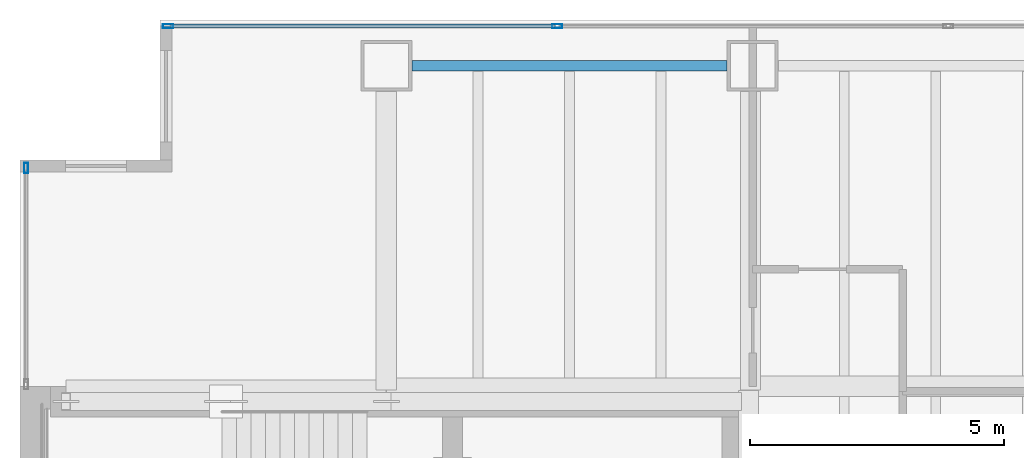
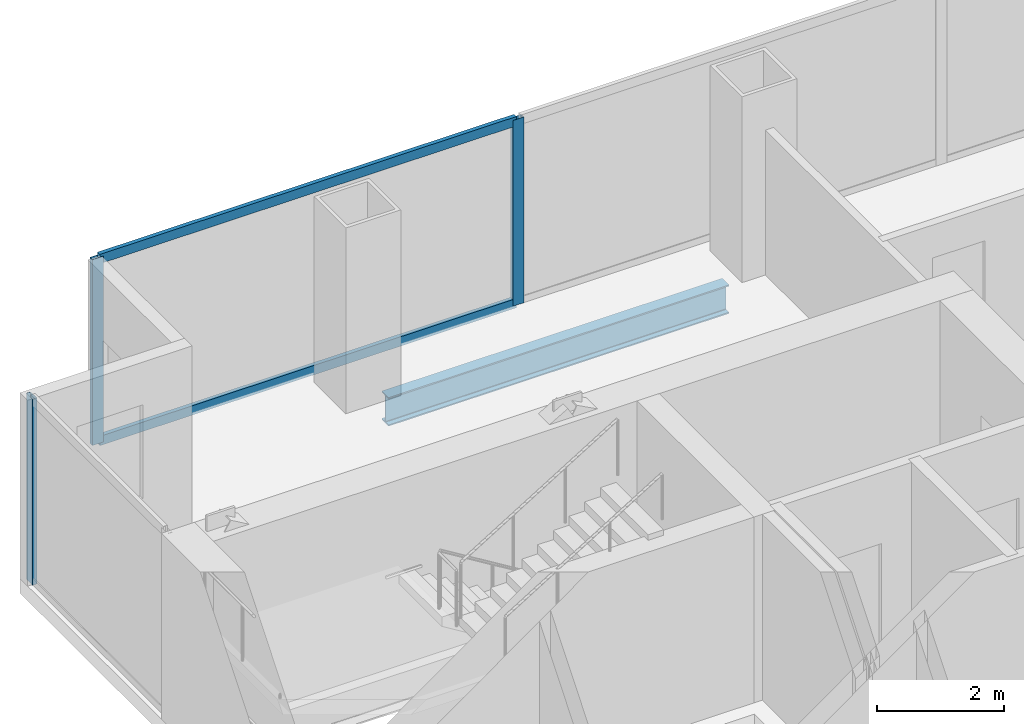
# One storey, part 16 of 23: 5 members, 1 beam, 2 elements without a shape of their own.
"""IFC4 building model written with IfcOpenShell, lengths in metres."""

from ifc_helpers import new_model, si_unit, direction, frame, origin, origin_2d, place, context, subcontext, project, spatial, hollow_rectangle, i_section, extrude, material, material_profile, profile_set, type_object, element, aggregate, save


model = new_model("IFC4")

# Units and contexts
model_context = context("Model", 3, precision=1e-05, world=origin(), true_north=direction((0.0, 1.0)))
body_context = subcontext(model_context, "Body", "Model", "MODEL_VIEW")
ifc_project = project(units=[si_unit("LENGTHUNIT", "METRE"), si_unit("AREAUNIT", "SQUARE_METRE"), si_unit("VOLUMEUNIT", "CUBIC_METRE"), si_unit("PLANEANGLEUNIT", "RADIAN"), si_unit("MASSUNIT", "GRAM", prefix="KILO")], contexts=[model_context])

# Site, building, storey
site_placement = place(None, origin())
site = spatial("IfcSite", under=ifc_project, at=site_placement, CompositionType="ELEMENT")
building_placement = place(site_placement, origin())
building = spatial("IfcBuilding", under=site, at=building_placement, Name="Cobrela Telecom Tower", CompositionType="ELEMENT")
storey_placement = place(building_placement, frame((0.0, 0.0, 73.5)))
storey = spatial("IfcBuildingStorey", under=building, at=storey_placement, Name="L18", CompositionType="ELEMENT", Elevation=73.5)

# Beam
ifc_material_1 = material(Name="Steel ASTM A992 Grade 50", Category="steel")
ifc_material_profile_1 = material_profile(ifc_material_1, i_section(OverallWidth=0.212890625, OverallDepth=0.549072265625, WebThickness=0.0146484375, FlangeThickness=0.023681640625, FilletRadius=0.013916015625, at=origin_2d()), Name="W21X93")
ifc_profile_set_1 = profile_set([ifc_material_profile_1], Name="Steel ASTM A992 Grade 50")
beam_type = type_object("IfcBeamType", Name="BM-SPAND-03", PredefinedType="SPANDREL", material=ifc_profile_set_1)
beam_placement = place(storey_placement, frame((7.705078125, 42.300048828125, -0.554443359375), z_axis=(1.0, 0.0, 0.0), x_axis=(0.0, 1.0, 0.0)))
element("IfcBeam", 1, at=beam_placement, inside=storey, type_object=beam_type, Name="L18 Perimeter Spandrel X29", PredefinedType="SPANDREL", context=body_context, shape_type="SweptSolid", body=[
    extrude(i_section(OverallWidth=0.212890625, OverallDepth=0.549072265625, WebThickness=0.0146484375, FlangeThickness=0.023681640625, FilletRadius=0.013916015625, at=origin_2d()), origin(), (0.0, 0.0, 1.0), 6.18994140625),
])

# Curtain wall, member
ifc_material_2 = material(Name="Anodized Bronze Aluminium 6063-T6", Category="aluminium")
curtain_wall_type = type_object("IfcCurtainWallType", Name="CW-SYS-DATA", PredefinedType="USERDEFINED", material=ifc_material_2)
curtain_wall_1_placement = place(storey_placement, origin())
curtain_wall_1 = element("IfcCurtainWall", 2, at=curtain_wall_1_placement, inside=storey, type_object=curtain_wall_type, Name="L18 Unitised Bronze Curtain Wall 04", ObjectType="UNITISED CURTAIN WALL", PredefinedType="USERDEFINED")
ifc_material_profile_2 = material_profile(ifc_material_2, hollow_rectangle(XDim=0.080078125, YDim=0.199951171875, WallThickness=0.00390625, at=origin_2d()), Name="ALU 80x200x4")
ifc_profile_set_2 = profile_set([ifc_material_profile_2], Name="Anodized Bronze Aluminium 6063-T6")
member_type_1 = type_object("IfcMemberType", Name="CW-SYS-DATA-MUL", PredefinedType="MULLION", material=ifc_profile_set_2)
member_1_placement = place(storey_placement, frame((0.1201171875, 40.2900390625, 0.0), z_axis=(0.0, 0.0, 1.0), x_axis=(-1.0, 0.0, 0.0)))
member_1 = element("IfcMember", 3, at=member_1_placement, type_object=member_type_1, Name="CW-DATA mullion 2", PredefinedType="MULLION", context=body_context, shape_type="SweptSolid", body=[
    extrude(hollow_rectangle(XDim=0.080078125, YDim=0.199951171875, WallThickness=0.00390625, at=origin_2d()), origin(), (0.0, 0.0, 1.0), 3.570068359375),
])
aggregate(curtain_wall_1, [member_1])

# Curtain wall, members
curtain_wall_2_placement = place(storey_placement, origin())
curtain_wall_2 = element("IfcCurtainWall", 4, at=curtain_wall_2_placement, inside=storey, type_object=curtain_wall_type, Name="L18 Unitised Bronze Curtain Wall 07", ObjectType="UNITISED CURTAIN WALL", PredefinedType="USERDEFINED")
member_2_placement = place(storey_placement, frame((2.909912109375, 43.080078125, 0.0), z_axis=(0.0, 0.0, 1.0), x_axis=(0.0, 1.0, 0.0)))
member_2 = element("IfcMember", 5, at=member_2_placement, type_object=member_type_1, Name="CW-DATA mullion 1", PredefinedType="MULLION", context=body_context, shape_type="SweptSolid", body=[
    extrude(hollow_rectangle(XDim=0.080078125, YDim=0.199951171875, WallThickness=0.00390625, at=origin_2d()), origin(), (0.0, 0.0, 1.0), 3.570068359375),
])
member_3_placement = place(storey_placement, frame((10.556640625, 43.080078125, 0.0), z_axis=(0.0, 0.0, 1.0), x_axis=(0.0, 1.0, 0.0)))
member_3 = element("IfcMember", 6, at=member_3_placement, type_object=member_type_1, Name="CW-DATA mullion 2", PredefinedType="MULLION", context=body_context, shape_type="SweptSolid", body=[
    extrude(hollow_rectangle(XDim=0.080078125, YDim=0.199951171875, WallThickness=0.00390625, at=origin_2d()), origin(), (0.0, 0.0, 1.0), 3.570068359375),
])
ifc_material_profile_3 = material_profile(ifc_material_2, hollow_rectangle(XDim=0.074951171875, YDim=0.179931640625, WallThickness=0.00390625, at=origin_2d()), Name="ALU 75x180x4")
ifc_profile_set_3 = profile_set([ifc_material_profile_3], Name="Anodized Bronze Aluminium 6063-T6")
member_type_2 = type_object("IfcMemberType", Name="CW-SYS-DATA-TRN", PredefinedType="USERDEFINED", material=ifc_profile_set_3)
member_4_placement = place(storey_placement, frame((2.949951171875, 43.080078125, 0.03759765625), z_axis=(1.0, 0.0, 0.0), x_axis=(0.0, 1.0, 0.0)))
member_4 = element("IfcMember", 7, at=member_4_placement, type_object=member_type_2, Name="CW-DATA transom 1.1", ObjectType="TRANSOM", PredefinedType="USERDEFINED", context=body_context, shape_type="SweptSolid", body=[
    extrude(hollow_rectangle(XDim=0.074951171875, YDim=0.179931640625, WallThickness=0.00390625, at=origin_2d()), origin(), (0.0, 0.0, 1.0), 7.566650390625),
])
member_5_placement = place(storey_placement, frame((2.949951171875, 43.080078125, 3.532470703125), z_axis=(1.0, 0.0, 0.0), x_axis=(0.0, 1.0, 0.0)))
member_5 = element("IfcMember", 8, at=member_5_placement, type_object=member_type_2, Name="CW-DATA transom 1.2", ObjectType="TRANSOM", PredefinedType="USERDEFINED", context=body_context, shape_type="SweptSolid", body=[
    extrude(hollow_rectangle(XDim=0.074951171875, YDim=0.179931640625, WallThickness=0.00390625, at=origin_2d()), origin(), (0.0, 0.0, 1.0), 7.566650390625),
])
aggregate(curtain_wall_2, [member_2, member_3, member_4, member_5])

save(model, "model.ifc")
